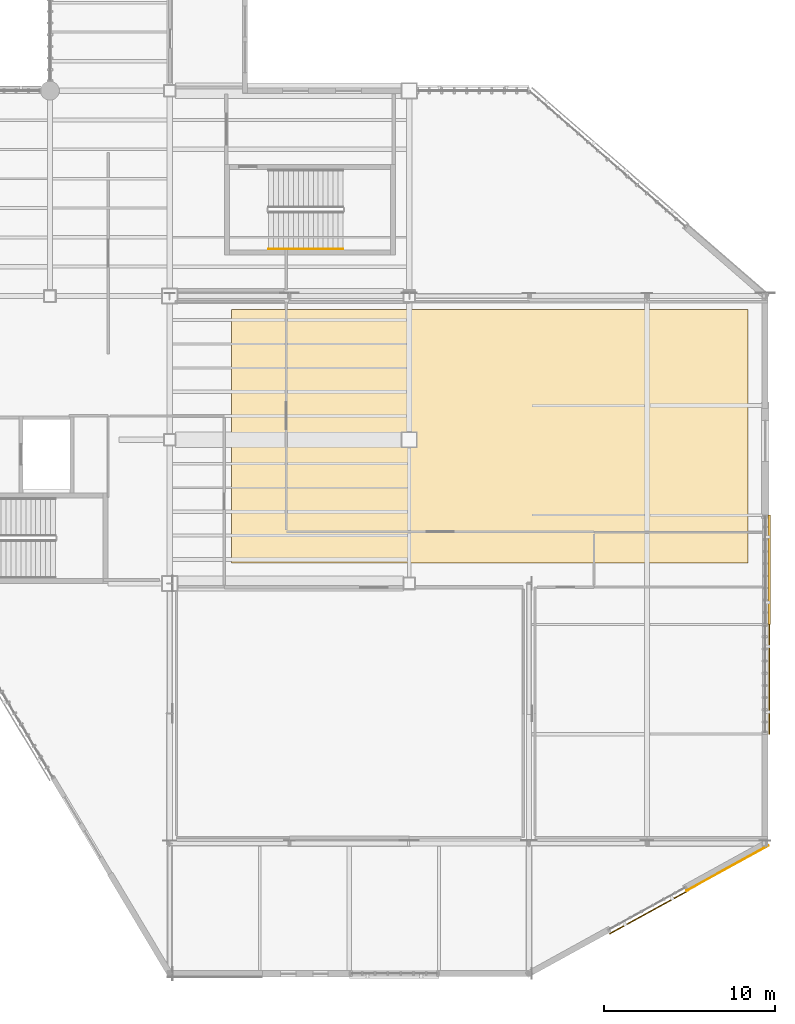
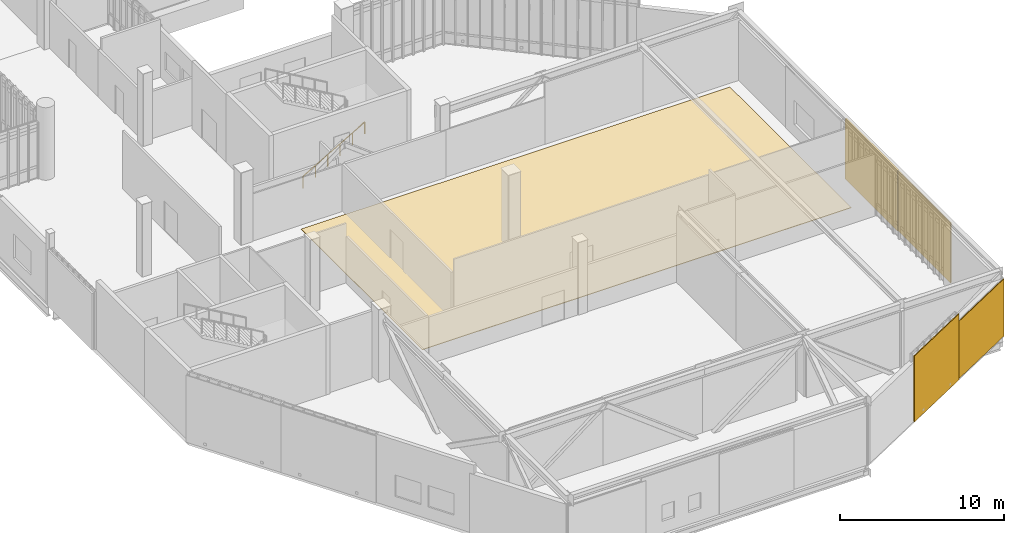
# One storey, part 133 of 135: 3 shading devices, 2 coverings, 1 railing.
"""IFC4 building model written with IfcOpenShell, lengths in metres."""

from ifc_helpers import new_model, si_unit, direction, frame, origin, origin_2d, place, context, subcontext, project, spatial, polyline, rectangle, circle, outline, extrude, material, layer, layer_set, type_object, element, save


model = new_model("IFC4")

# Units and contexts
model_context = context("Model", 3, precision=1e-05, world=origin(), true_north=direction((0.0, 1.0)))
body_context = subcontext(model_context, "Body", "Model", "MODEL_VIEW")
ifc_project = project(units=[si_unit("LENGTHUNIT", "METRE"), si_unit("AREAUNIT", "SQUARE_METRE"), si_unit("VOLUMEUNIT", "CUBIC_METRE"), si_unit("PLANEANGLEUNIT", "RADIAN"), si_unit("MASSUNIT", "GRAM", prefix="KILO")], contexts=[model_context])

# Site, building, storey
site_placement = place(None, origin())
site = spatial("IfcSite", under=ifc_project, at=site_placement, CompositionType="ELEMENT")
building_placement = place(site_placement, origin())
building = spatial("IfcBuilding", under=site, at=building_placement, Name="Larkvane Passage Sports Hall", CompositionType="ELEMENT")
storey_placement = place(building_placement, frame((0.0, 0.0, 16.800048828125)))
storey = spatial("IfcBuildingStorey", under=building, at=storey_placement, Name="L03", CompositionType="ELEMENT", Elevation=16.800048828125)

# Coverings
ifc_material_1 = material(Name="Sprung maple sports floor")
ifc_layer_1 = layer(ifc_material_1, 0.0400390625)
ifc_layer_set_1 = layer_set([ifc_layer_1], Name="Sprung maple sports floor")
covering_type_1 = type_object("IfcCoveringType", Name="COV-FLR-MAPLE", PredefinedType="FLOORING", material=ifc_layer_set_1)
covering_1_placement = place(storey_placement, origin())
element("IfcCovering", 1, at=covering_1_placement, inside=storey, type_object=covering_type_1, Name="Southeast volleyball and handball maple floor", PredefinedType="FLOORING", context=body_context, shape_type="SweptSolid", body=[
    extrude(outline(polyline([(135.199951171875, 24.0), (165.39990234375, 24.0), (165.39990234375, 38.800048828125), (135.199951171875, 38.800048828125), (135.199951171875, 24.0)])), origin(), (0.0, 0.0, 1.0), 0.0400390625),
])
ifc_material_2 = material(Name="Perforated anodised aluminium 5052-H32", Category="aluminium")
ifc_layer_2 = layer(ifc_material_2, 0.050048828125)
ifc_layer_set_2 = layer_set([ifc_layer_2], Name="Perforated anodised aluminium 5052-H32")
covering_type_2 = type_object("IfcCoveringType", Name="COV-MESH-VEIL", PredefinedType="CLADDING", material=ifc_layer_set_2)
covering_2_placement = place(storey_placement, frame((164.1953125, 6.160400390625, 0.074951171875), z_axis=(0.0, 0.0, 1.0), x_axis=(-0.875947742752, -0.482406003246, 0.0)))
element("IfcCovering", 2, at=covering_2_placement, inside=storey, type_object=covering_type_2, Name="Perforated cladding cassette L03-172", PredefinedType="CLADDING", context=body_context, shape_type="SweptSolid", body=[
    extrude(rectangle(XDim=5.482666015625, YDim=0.050048828125, at=origin_2d()), origin(), (0.0, 0.0, 1.0), 4.27001953125),
])

# Railing
ifc_material_3 = material(Name="Stainless steel S355JR", Category="steel")
railing_type = type_object("IfcRailingType", Name="RL-HAND-920", PredefinedType="HANDRAIL", material=ifc_material_3)
railing_placement = place(storey_placement, frame((137.3798828125, 42.35009765625, 0.168701171875)))
element("IfcRailing", 3, at=railing_placement, inside=storey, type_object=railing_type, Name="L03 ST-07 stair handrail 1", PredefinedType="HANDRAIL", context=body_context, shape_type="SweptSolid", body=[
    extrude(circle(Radius=0.02392578125, at=origin_2d()), frame((0.001708984375, 0.0, 0.876953125), z_axis=(0.864323800911, 0.0, 0.50293574856), x_axis=(0.0, 1.0, 0.0)), (0.0, 0.0, 1.0), 5.029052734375),
    extrude(circle(Radius=0.02099609375, at=origin_2d()), origin(), (0.0, 0.0, 1.0), 0.851806640625),
    extrude(circle(Radius=0.02099609375, at=origin_2d()), frame((0.8701171875, 0.0, 0.50634765625)), (0.0, 0.0, 1.0), 0.851806640625),
    extrude(circle(Radius=0.02099609375, at=origin_2d()), frame((1.739990234375, 0.0, 1.012451171875)), (0.0, 0.0, 1.0), 0.851806640625),
    extrude(circle(Radius=0.02099609375, at=origin_2d()), frame((2.610107421875, 0.0, 1.518798828125)), (0.0, 0.0, 1.0), 0.851806640625),
    extrude(circle(Radius=0.02099609375, at=origin_2d()), frame((3.47998046875, 0.0, 2.02490234375)), (0.0, 0.0, 1.0), 0.851806640625),
    extrude(circle(Radius=0.02099609375, at=origin_2d()), frame((4.35009765625, 0.0, 2.53125)), (0.0, 0.0, 1.0), 0.851806640625),
])

# Shading devices
ifc_material_4 = material(Name="Extruded aluminium 6063-T6", Category="aluminium")
ifc_layer_3 = layer(ifc_material_4, 0.1201171875)
ifc_layer_set_3 = layer_set([ifc_layer_3], Name="Extruded aluminium 6063-T6")
shading_device_type_1 = type_object("IfcShadingDeviceType", Name="SHD-LOUVRE-STORM", PredefinedType="JALOUSIE", material=ifc_layer_set_3)
shading_device_1_placement = place(storey_placement, frame((166.639892578125, 23.60009765625, 0.059814453125), z_axis=(0.0, 0.0, 1.0), x_axis=(0.0, -1.0, 0.0)))
element("IfcShadingDevice", 4, at=shading_device_1_placement, inside=storey, type_object=shading_device_type_1, Name="Solar veil screen L03-081", PredefinedType="JALOUSIE", context=body_context, shape_type="SweptSolid", body=[
    extrude(rectangle(XDim=6.39990234375, YDim=0.1201171875, at=origin_2d()), origin(), (0.0, 0.0, 1.0), 4.498046875),
])
ifc_layer_4 = layer(ifc_material_2, 0.06005859375)
ifc_layer_set_4 = layer_set([ifc_layer_4], Name="Perforated anodised aluminium 5052-H32")
shading_device_type_2 = type_object("IfcShadingDeviceType", Name="SHD-VEIL-PERF", PredefinedType="SHUTTER", material=ifc_layer_set_4)
shading_device_2_placement = place(storey_placement, frame((166.639892578125, 17.199951171875, 0.059814453125), z_axis=(0.0, 0.0, 1.0), x_axis=(0.0, -1.0, 0.0)))
element("IfcShadingDevice", 5, at=shading_device_2_placement, inside=storey, type_object=shading_device_type_2, Name="Solar veil screen L03-082", PredefinedType="SHUTTER", context=body_context, shape_type="SweptSolid", body=[
    extrude(rectangle(XDim=6.39990234375, YDim=0.06005859375, at=origin_2d()), origin(), (0.0, 0.0, 1.0), 4.498046875),
])
shading_device_3_placement = place(storey_placement, frame((159.61572265625, 3.58984375, 0.06005859375), z_axis=(0.0, 0.0, 1.0), x_axis=(-0.875947742752, -0.482406003246, 0.0)))
element("IfcShadingDevice", 6, at=shading_device_3_placement, inside=storey, type_object=shading_device_type_2, Name="Solar veil screen L03-083", PredefinedType="SHUTTER", context=body_context, shape_type="SweptSolid", body=[
    extrude(rectangle(XDim=5.25146484375, YDim=0.06005859375, at=origin_2d()), origin(), (0.0, 0.0, 1.0), 4.909912109375),
])

save(model, "model.ifc")
